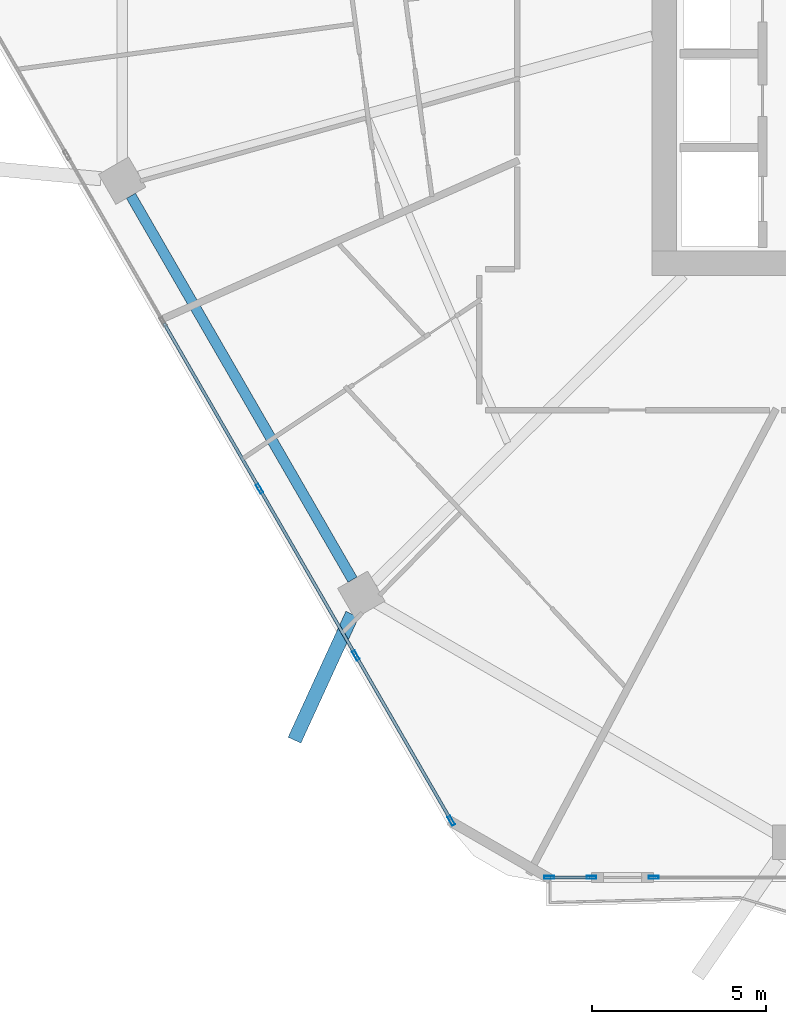
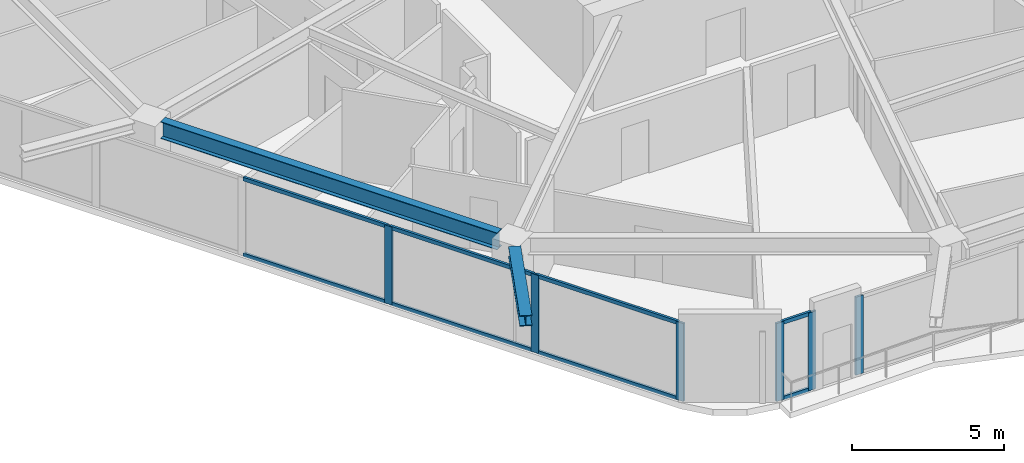
# One storey, part 2 of 27: 14 members, 2 beams, 3 elements without a shape of their own.
"""IFC4 building model written with IfcOpenShell, lengths in metres."""

from ifc_helpers import new_model, si_unit, direction, frame, origin, origin_2d, place, context, subcontext, project, spatial, hollow_rectangle, i_section, extrude, material, material_profile, profile_set, type_object, element, aggregate, save


model = new_model("IFC4")

# Units and contexts
model_context = context("Model", 3, precision=1e-05, world=origin(), true_north=direction((0.0, 1.0)))
body_context = subcontext(model_context, "Body", "Model", "MODEL_VIEW")
ifc_project = project(units=[si_unit("LENGTHUNIT", "METRE"), si_unit("AREAUNIT", "SQUARE_METRE"), si_unit("VOLUMEUNIT", "CUBIC_METRE"), si_unit("PLANEANGLEUNIT", "RADIAN"), si_unit("MASSUNIT", "GRAM", prefix="KILO")], contexts=[model_context])

# Site, building, storey
site_placement = place(None, origin())
site = spatial("IfcSite", under=ifc_project, at=site_placement, CompositionType="ELEMENT")
building_placement = place(site_placement, origin())
building = spatial("IfcBuilding", under=site, at=building_placement, Name="Zuhravey Tower", CompositionType="ELEMENT")
storey_placement = place(building_placement, frame((0.0, 0.0, 173.199951171875)))
storey = spatial("IfcBuildingStorey", under=building, at=storey_placement, Name="L43", CompositionType="ELEMENT", Elevation=173.199951171875)

# Curtain wall, member
ifc_material_1 = material(Name="Thermally broken anodised aluminium", Category="aluminium")
curtain_wall_type = type_object("IfcCurtainWallType", Name="Zone 1-2 Residential Curtain Wall CW3", PredefinedType="NOTDEFINED", material=ifc_material_1)
curtain_wall_1_placement = place(storey_placement, origin())
curtain_wall_1 = element("IfcCurtainWall", 1, at=curtain_wall_1_placement, inside=storey, type_object=curtain_wall_type, Name="L43 CW3 CW-L43-F5-1", PredefinedType="NOTDEFINED")
ifc_material_2 = material(Name="Anodised aluminium", Category="aluminium")
ifc_material_profile_1 = material_profile(ifc_material_2, hollow_rectangle(XDim=0.090087890625, YDim=0.284912109375, WallThickness=0.0048828125, at=origin_2d()), Name="ALU-RHS-90x285x5")
ifc_profile_set_1 = profile_set([ifc_material_profile_1], Name="Anodised aluminium")
member_type_1 = type_object("IfcMemberType", Name="Curtain-Wall Mullion 90x180", PredefinedType="MULLION", material=ifc_profile_set_1)
member_1_placement = place(storey_placement, frame((25.193115234375, 4.81689453125, 0.0), z_axis=(0.0, 0.0, 1.0), x_axis=(0.0, -1.0, 0.0)))
member_1 = element("IfcMember", 2, at=member_1_placement, type_object=member_type_1, Name="CW3 mullion 5", PredefinedType="MULLION", context=body_context, shape_type="SweptSolid", body=[
    extrude(hollow_rectangle(XDim=0.090087890625, YDim=0.284912109375, WallThickness=0.0048828125, at=origin_2d()), origin(), (0.0, 0.0, 1.0), 3.1220703125),
])
aggregate(curtain_wall_1, [member_1])

# Curtain wall, members
curtain_wall_2_placement = place(storey_placement, origin())
curtain_wall_2 = element("IfcCurtainWall", 3, at=curtain_wall_2_placement, inside=storey, type_object=curtain_wall_type, Name="L43 CW3 CW-L43-F5-2", PredefinedType="NOTDEFINED")
member_2_placement = place(storey_placement, frame((23.4033203125, 4.81689453125, 0.0), z_axis=(0.0, 0.0, 1.0), x_axis=(0.0, -1.0, 0.0)))
member_2 = element("IfcMember", 4, at=member_2_placement, type_object=member_type_1, Name="CW3 mullion 1", PredefinedType="MULLION", context=body_context, shape_type="SweptSolid", body=[
    extrude(hollow_rectangle(XDim=0.090087890625, YDim=0.284912109375, WallThickness=0.0048828125, at=origin_2d()), origin(), (0.0, 0.0, 1.0), 3.1220703125),
])
member_3_placement = place(storey_placement, frame((22.183837890625, 4.81689453125, 0.0), z_axis=(0.0, 0.0, 1.0), x_axis=(0.0, -1.0, 0.0)))
member_3 = element("IfcMember", 5, at=member_3_placement, type_object=member_type_1, Name="CW3 mullion 2", PredefinedType="MULLION", context=body_context, shape_type="SweptSolid", body=[
    extrude(hollow_rectangle(XDim=0.090087890625, YDim=0.284912109375, WallThickness=0.0048828125, at=origin_2d()), origin(), (0.0, 0.0, 1.0), 3.1220703125),
])

curtain_wall_3_placement = place(storey_placement, origin())
curtain_wall_3 = element("IfcCurtainWall", 6, at=curtain_wall_3_placement, inside=storey, type_object=curtain_wall_type, Name="L43 CW3 CW-L43-F4-1", PredefinedType="NOTDEFINED")
member_4_placement = place(storey_placement, frame((19.36669921875, 6.443359375, 0.0), z_axis=(0.0, 0.0, 1.0), x_axis=(-0.866025138215, -0.500000459979, 0.0)))
member_4 = element("IfcMember", 7, at=member_4_placement, type_object=member_type_1, Name="CW3 mullion 1", PredefinedType="MULLION", context=body_context, shape_type="SweptSolid", body=[
    extrude(hollow_rectangle(XDim=0.090087890625, YDim=0.284912109375, WallThickness=0.0048828125, at=origin_2d()), origin(), (0.0, 0.0, 1.0), 3.1220703125),
])
member_5_placement = place(storey_placement, frame((16.6171875, 11.2060546875, 0.0), z_axis=(0.0, 0.0, 1.0), x_axis=(-0.866025138215, -0.500000459979, 0.0)))
member_5 = element("IfcMember", 8, at=member_5_placement, type_object=member_type_1, Name="CW3 mullion 2", PredefinedType="MULLION", context=body_context, shape_type="SweptSolid", body=[
    extrude(hollow_rectangle(XDim=0.090087890625, YDim=0.284912109375, WallThickness=0.0048828125, at=origin_2d()), origin(), (0.0, 0.0, 1.0), 3.1220703125),
])
member_6_placement = place(storey_placement, frame((13.844970703125, 16.007568359375, 0.0), z_axis=(0.0, 0.0, 1.0), x_axis=(-0.866025138215, -0.500000459979, 0.0)))
member_6 = element("IfcMember", 9, at=member_6_placement, type_object=member_type_1, Name="CW3 mullion 3", PredefinedType="MULLION", context=body_context, shape_type="SweptSolid", body=[
    extrude(hollow_rectangle(XDim=0.090087890625, YDim=0.284912109375, WallThickness=0.0048828125, at=origin_2d()), origin(), (0.0, 0.0, 1.0), 3.1220703125),
])

# Member
ifc_material_profile_2 = material_profile(ifc_material_2, hollow_rectangle(XDim=0.090087890625, YDim=0.14990234375, WallThickness=0.0048828125, at=origin_2d()), Name="ALU-RHS-90x150x5")
ifc_profile_set_2 = profile_set([ifc_material_profile_2], Name="Anodised aluminium")
member_type_2 = type_object("IfcMemberType", Name="Curtain-Wall Transom 90x150", PredefinedType="USERDEFINED", material=ifc_profile_set_2)
member_7_placement = place(storey_placement, frame((23.358154296875, 4.81689453125, 0.045166015625), z_axis=(-1.0, 0.0, 0.0), x_axis=(0.0, -1.0, 0.0)))
member_7 = element("IfcMember", 10, at=member_7_placement, type_object=member_type_2, Name="CW3 transom 1.1", ObjectType="TRANSOM", PredefinedType="USERDEFINED", context=body_context, shape_type="SweptSolid", body=[
    extrude(hollow_rectangle(XDim=0.090087890625, YDim=0.14990234375, WallThickness=0.0048828125, at=origin_2d()), origin(), (0.0, 0.0, 1.0), 1.129150390625),
])

member_8_placement = place(storey_placement, frame((23.358154296875, 4.81689453125, 3.0771484375), z_axis=(-1.0, 0.0, 0.0), x_axis=(0.0, -1.0, 0.0)))
member_8 = element("IfcMember", 11, at=member_8_placement, type_object=member_type_2, Name="CW3 transom 1.2", ObjectType="TRANSOM", PredefinedType="USERDEFINED", context=body_context, shape_type="SweptSolid", body=[
    extrude(hollow_rectangle(XDim=0.090087890625, YDim=0.14990234375, WallThickness=0.0048828125, at=origin_2d()), origin(), (0.0, 0.0, 1.0), 1.129150390625),
])

aggregate(curtain_wall_2, [member_2, member_3, member_7, member_8])

member_9_placement = place(storey_placement, frame((19.34423828125, 6.482421875, 0.045166015625), z_axis=(-0.499993332629, 0.866029253159, 0.0), x_axis=(-0.866029253159, -0.499993332629, 0.0)))
member_9 = element("IfcMember", 12, at=member_9_placement, type_object=member_type_2, Name="CW3 transom 1.1", ObjectType="TRANSOM", PredefinedType="USERDEFINED", context=body_context, shape_type="SweptSolid", body=[
    extrude(hollow_rectangle(XDim=0.090087890625, YDim=0.14990234375, WallThickness=0.0048828125, at=origin_2d()), origin(), (0.0, 0.0, 1.0), 5.4091796875),
])

member_10_placement = place(storey_placement, frame((19.34423828125, 6.482421875, 3.0771484375), z_axis=(-0.499993332629, 0.866029253159, 0.0), x_axis=(-0.866029253159, -0.499993332629, 0.0)))
member_10 = element("IfcMember", 13, at=member_10_placement, type_object=member_type_2, Name="CW3 transom 1.2", ObjectType="TRANSOM", PredefinedType="USERDEFINED", context=body_context, shape_type="SweptSolid", body=[
    extrude(hollow_rectangle(XDim=0.090087890625, YDim=0.14990234375, WallThickness=0.0048828125, at=origin_2d()), origin(), (0.0, 0.0, 1.0), 5.4091796875),
])

member_11_placement = place(storey_placement, frame((16.594482421875, 11.244873046875, 0.045166015625), z_axis=(-0.49996138257, 0.86604769842, 0.0), x_axis=(-0.86604769842, -0.49996138257, 0.0)))
member_11 = element("IfcMember", 14, at=member_11_placement, type_object=member_type_2, Name="CW3 transom 2.1", ObjectType="TRANSOM", PredefinedType="USERDEFINED", context=body_context, shape_type="SweptSolid", body=[
    extrude(hollow_rectangle(XDim=0.090087890625, YDim=0.14990234375, WallThickness=0.0048828125, at=origin_2d()), origin(), (0.0, 0.0, 1.0), 5.45458984375),
])

member_12_placement = place(storey_placement, frame((16.594482421875, 11.244873046875, 3.0771484375), z_axis=(-0.49996138257, 0.86604769842, 0.0), x_axis=(-0.86604769842, -0.49996138257, 0.0)))
member_12 = element("IfcMember", 15, at=member_12_placement, type_object=member_type_2, Name="CW3 transom 2.2", ObjectType="TRANSOM", PredefinedType="USERDEFINED", context=body_context, shape_type="SweptSolid", body=[
    extrude(hollow_rectangle(XDim=0.090087890625, YDim=0.14990234375, WallThickness=0.0048828125, at=origin_2d()), origin(), (0.0, 0.0, 1.0), 5.45458984375),
])

member_13_placement = place(storey_placement, frame((13.822265625, 16.046630859375, 0.045166015625), z_axis=(-0.499980763544, 0.866036509673, 0.0), x_axis=(-0.866036509673, -0.499980763544, 0.0)))
member_13 = element("IfcMember", 16, at=member_13_placement, type_object=member_type_2, Name="CW3 transom 3.1", ObjectType="TRANSOM", PredefinedType="USERDEFINED", context=body_context, shape_type="SweptSolid", body=[
    extrude(hollow_rectangle(XDim=0.090087890625, YDim=0.14990234375, WallThickness=0.0048828125, at=origin_2d()), origin(), (0.0, 0.0, 1.0), 5.454345703125),
])

member_14_placement = place(storey_placement, frame((13.822265625, 16.046630859375, 3.0771484375), z_axis=(-0.499980763544, 0.866036509673, 0.0), x_axis=(-0.866036509673, -0.499980763544, 0.0)))
member_14 = element("IfcMember", 17, at=member_14_placement, type_object=member_type_2, Name="CW3 transom 3.2", ObjectType="TRANSOM", PredefinedType="USERDEFINED", context=body_context, shape_type="SweptSolid", body=[
    extrude(hollow_rectangle(XDim=0.090087890625, YDim=0.14990234375, WallThickness=0.0048828125, at=origin_2d()), origin(), (0.0, 0.0, 1.0), 5.454345703125),
])

aggregate(curtain_wall_3, [member_4, member_5, member_6, member_9, member_10, member_11, member_12, member_13, member_14])

# Beams
ifc_material_3 = material(Name="Steel SM460", Category="steel")
ifc_material_profile_3 = material_profile(ifc_material_3, i_section(OverallWidth=0.406982421875, OverallDepth=0.427978515625, WebThickness=0.02001953125, FlangeThickness=0.034912109375, at=origin_2d()), Name="H-428x407x20x35")
ifc_profile_set_3 = profile_set([ifc_material_profile_3], Name="Steel SM460")
beam_type_1 = type_object("IfcBeamType", Name="Exoskeleton Node Tie Beam H428x407", PredefinedType="BEAM", material=ifc_profile_set_3)
beam_1_placement = place(storey_placement, frame((16.51708984375, 12.392822265625, 3.3359375), z_axis=(-0.417299408562, -0.90876905956, 0.0), x_axis=(0.90876905956, -0.417299408562, 0.0)))
element("IfcBeam", 18, at=beam_1_placement, inside=storey, type_object=beam_type_1, Name="L43 Exoskeleton Node Tie NT1-08", PredefinedType="BEAM", context=body_context, shape_type="SweptSolid", body=[
    extrude(i_section(OverallWidth=0.406982421875, OverallDepth=0.427978515625, WebThickness=0.02001953125, FlangeThickness=0.034912109375, at=origin_2d()), origin(), (0.0, 0.0, 1.0), 3.989501953125),
])
ifc_material_4 = material(Name="Steel SM355", Category="steel")
ifc_material_profile_4 = material_profile(ifc_material_4, i_section(OverallWidth=0.300048828125, OverallDepth=0.679931640625, WebThickness=0.012939453125, FlangeThickness=0.02197265625, at=origin_2d()), Name="H-680x300x13x22")
ifc_profile_set_4 = profile_set([ifc_material_profile_4], Name="Steel SM355")
beam_type_2 = type_object("IfcBeamType", Name="Perimeter Ring Beam H680x300", PredefinedType="BEAM", material=ifc_profile_set_4)
beam_2_placement = place(storey_placement, frame((10.143798828125, 24.43798828125, 3.2099609375), z_axis=(0.499997974489, -0.866026573211, 0.0), x_axis=(0.866026573211, 0.499997974489, 0.0)))
element("IfcBeam", 19, at=beam_2_placement, inside=storey, type_object=beam_type_2, Name="L43 PB2 BM-L43-PB-07", PredefinedType="BEAM", context=body_context, shape_type="SweptSolid", body=[
    extrude(i_section(OverallWidth=0.300048828125, OverallDepth=0.679931640625, WebThickness=0.012939453125, FlangeThickness=0.02197265625, at=origin_2d()), origin(), (0.0, 0.0, 1.0), 12.75830078125),
])

save(model, "model.ifc")
